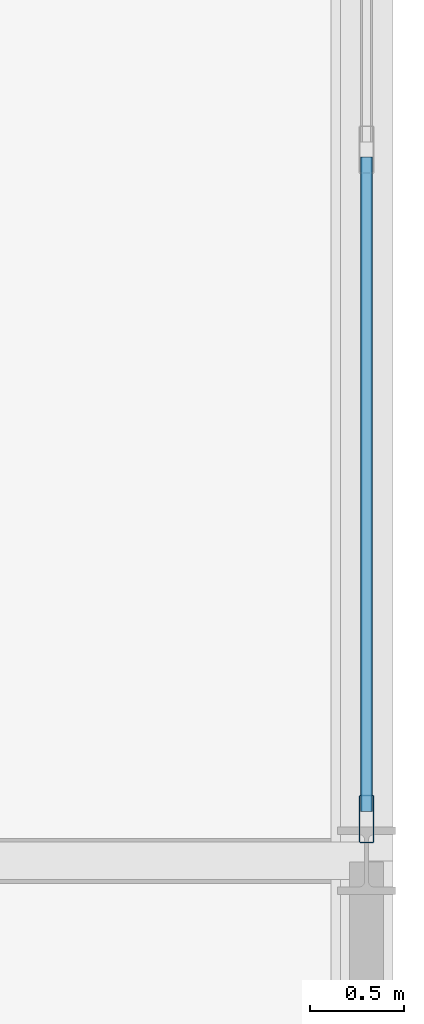
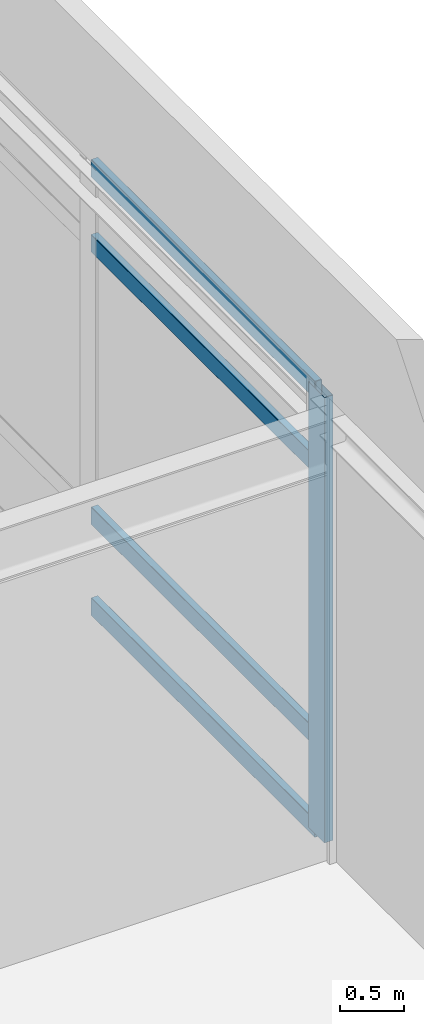
# One storey, part 7 of 16: 5 members, 1 element without a shape of its own.
"""IFC4 building model written with IfcOpenShell, lengths in metres."""

from ifc_helpers import new_model, si_unit, direction, frame, origin, origin_2d, place, context, subcontext, project, spatial, hollow_rectangle, extrude, material, layer, layer_set, material_profile, profile_set, type_object, element, aggregate, save


model = new_model("IFC4")

# Units and contexts
model_context = context("Model", 3, precision=1e-05, world=origin(), true_north=direction((0.0, 1.0)))
body_context = subcontext(model_context, "Body", "Model", "MODEL_VIEW")
ifc_project = project(units=[si_unit("LENGTHUNIT", "METRE"), si_unit("AREAUNIT", "SQUARE_METRE"), si_unit("VOLUMEUNIT", "CUBIC_METRE"), si_unit("PLANEANGLEUNIT", "RADIAN"), si_unit("MASSUNIT", "GRAM", prefix="KILO")], contexts=[model_context])

# Site, building, storey
site_placement = place(None, origin())
site = spatial("IfcSite", under=ifc_project, at=site_placement, CompositionType="ELEMENT")
building_placement = place(site_placement, origin())
building = spatial("IfcBuilding", under=site, at=building_placement, Name="Shalkamar Park Central Library", CompositionType="ELEMENT")
storey_placement = place(building_placement, frame((0.0, 0.0, 51.60009765625)))
storey = spatial("IfcBuildingStorey", under=building, at=storey_placement, Name="L13", CompositionType="ELEMENT", Elevation=51.60009765625)

# Curtain wall, members
ifc_material_1 = material(Name="Thermally broken aluminium and triple low-e curtain wall", Category="aluminium")
ifc_layer = layer(ifc_material_1, 0.2548828125)
ifc_layer_set = layer_set([ifc_layer], Name="UnitisedCurtainWall_96")
curtain_wall_type = type_object("IfcCurtainWallType", Name="Unitised Curtain Wall 96", PredefinedType="USERDEFINED", material=ifc_layer_set)
curtain_wall_placement = place(storey_placement, origin())
curtain_wall = element("IfcCurtainWall", 1, at=curtain_wall_placement, inside=storey, type_object=curtain_wall_type, Name="Unitised Curtain Wall CW-L13-150", ObjectType="UNITISED CURTAIN WALL", PredefinedType="USERDEFINED")
ifc_material_2 = material(Name="Aluminium 6060-T66", Category="aluminium")
ifc_material_profile_1 = material_profile(ifc_material_2, hollow_rectangle(XDim=0.080078125, YDim=0.2548828125, WallThickness=0.00439453125, InnerFilletRadius=0.00439453125, OuterFilletRadius=0.0068359375, at=origin_2d()), Name="ALU 80x255x4.5")
ifc_profile_set_1 = profile_set([ifc_material_profile_1], Name="Aluminium 6060-T66")
member_type_1 = type_object("IfcMemberType", Name="Curtain Wall Mullion ALU80x255", PredefinedType="MULLION", material=ifc_profile_set_1)
member_1_placement = place(storey_placement, frame((221.0, 278.223388671875, 0.0), z_axis=(0.0, 0.0, 1.0), x_axis=(-1.0, 0.0, 0.0)))
member_1 = element("IfcMember", 2, at=member_1_placement, type_object=member_type_1, Name="CW-96 mullion 1", PredefinedType="MULLION", context=body_context, shape_type="SweptSolid", body=[
    extrude(hollow_rectangle(XDim=0.080078125, YDim=0.2548828125, WallThickness=0.00439453125, InnerFilletRadius=0.00439453125, OuterFilletRadius=0.0068359375, at=origin_2d()), origin(), (0.0, 0.0, 1.0), 4.25),
])
ifc_material_profile_2 = material_profile(ifc_material_2, hollow_rectangle(XDim=0.06494140625, YDim=0.169921875, WallThickness=0.00390625, InnerFilletRadius=0.00390625, OuterFilletRadius=0.006103515625, at=origin_2d()), Name="ALU 65x170x4")
ifc_profile_set_2 = profile_set([ifc_material_profile_2], Name="Aluminium 6060-T66")
member_type_2 = type_object("IfcMemberType", Name="Curtain Wall Transom ALU65x170", PredefinedType="USERDEFINED", material=ifc_profile_set_2)
member_2_placement = place(storey_placement, frame((221.0, 278.263427734375, 0.032470703125), z_axis=(0.0, 1.0, 0.0), x_axis=(-1.0, 0.0, 0.0)))
member_2 = element("IfcMember", 3, at=member_2_placement, type_object=member_type_2, Name="CW-96 transom 1.1", ObjectType="TRANSOM", PredefinedType="USERDEFINED", context=body_context, shape_type="SweptSolid", body=[
    extrude(hollow_rectangle(XDim=0.06494140625, YDim=0.169921875, WallThickness=0.00390625, InnerFilletRadius=0.00390625, OuterFilletRadius=0.006103515625, at=origin_2d()), origin(), (0.0, 0.0, 1.0), 3.49658203125),
])
member_3_placement = place(storey_placement, frame((221.0, 278.263427734375, 0.89990234375), z_axis=(0.0, 1.0, 0.0), x_axis=(-1.0, 0.0, 0.0)))
member_3 = element("IfcMember", 4, at=member_3_placement, type_object=member_type_2, Name="CW-96 transom 1.2", ObjectType="TRANSOM", PredefinedType="USERDEFINED", context=body_context, shape_type="SweptSolid", body=[
    extrude(hollow_rectangle(XDim=0.06494140625, YDim=0.169921875, WallThickness=0.00390625, InnerFilletRadius=0.00390625, OuterFilletRadius=0.006103515625, at=origin_2d()), origin(), (0.0, 0.0, 1.0), 3.49658203125),
])
member_4_placement = place(storey_placement, frame((221.0, 278.263427734375, 3.5), z_axis=(0.0, 1.0, 0.0), x_axis=(-1.0, 0.0, 0.0)))
member_4 = element("IfcMember", 5, at=member_4_placement, type_object=member_type_2, Name="CW-96 transom 1.3", ObjectType="TRANSOM", PredefinedType="USERDEFINED", context=body_context, shape_type="SweptSolid", body=[
    extrude(hollow_rectangle(XDim=0.06494140625, YDim=0.169921875, WallThickness=0.00390625, InnerFilletRadius=0.00390625, OuterFilletRadius=0.006103515625, at=origin_2d()), origin(), (0.0, 0.0, 1.0), 3.49658203125),
])
member_5_placement = place(storey_placement, frame((221.0, 278.263427734375, 4.21728515625), z_axis=(0.0, 1.0, 0.0), x_axis=(-1.0, 0.0, 0.0)))
member_5 = element("IfcMember", 6, at=member_5_placement, type_object=member_type_2, Name="CW-96 transom 1.4", ObjectType="TRANSOM", PredefinedType="USERDEFINED", context=body_context, shape_type="SweptSolid", body=[
    extrude(hollow_rectangle(XDim=0.06494140625, YDim=0.169921875, WallThickness=0.00390625, InnerFilletRadius=0.00390625, OuterFilletRadius=0.006103515625, at=origin_2d()), origin(), (0.0, 0.0, 1.0), 3.49658203125),
])
aggregate(curtain_wall, [member_1, member_2, member_3, member_4, member_5])

save(model, "model.ifc")
